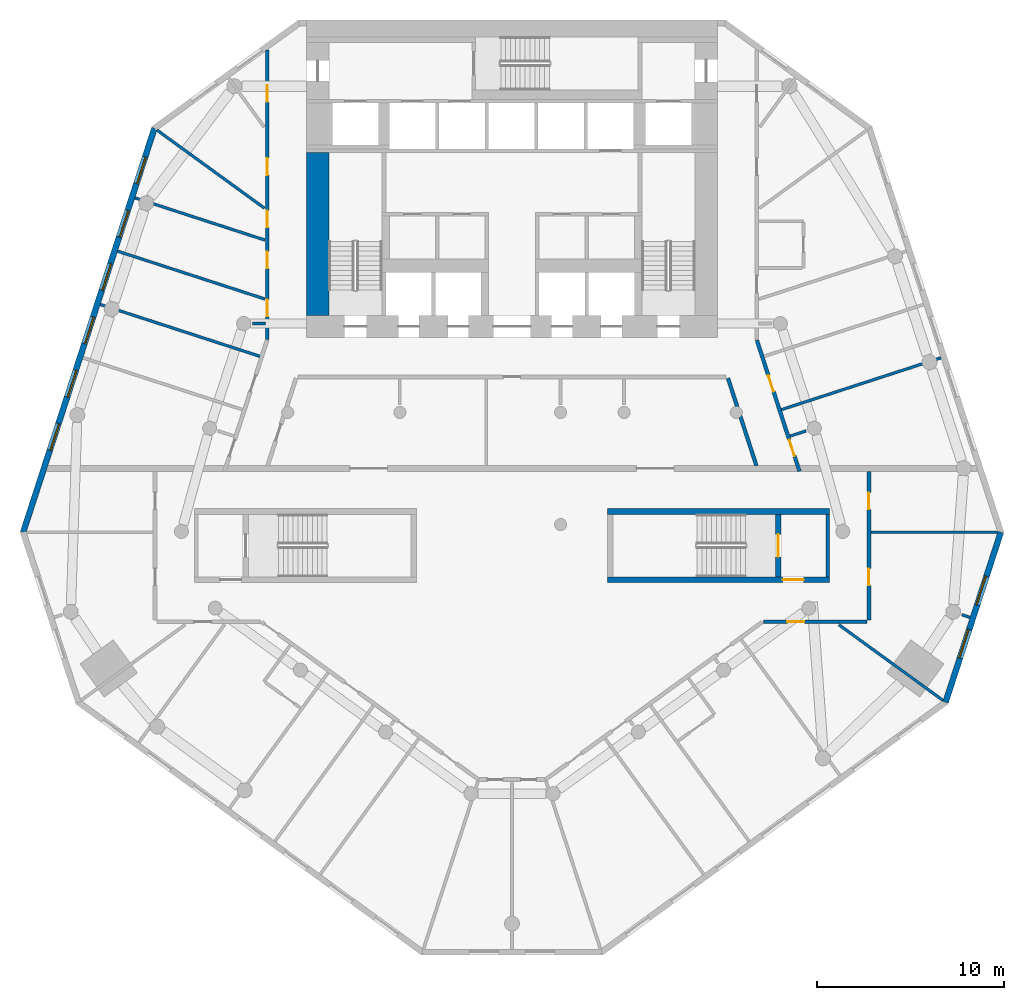
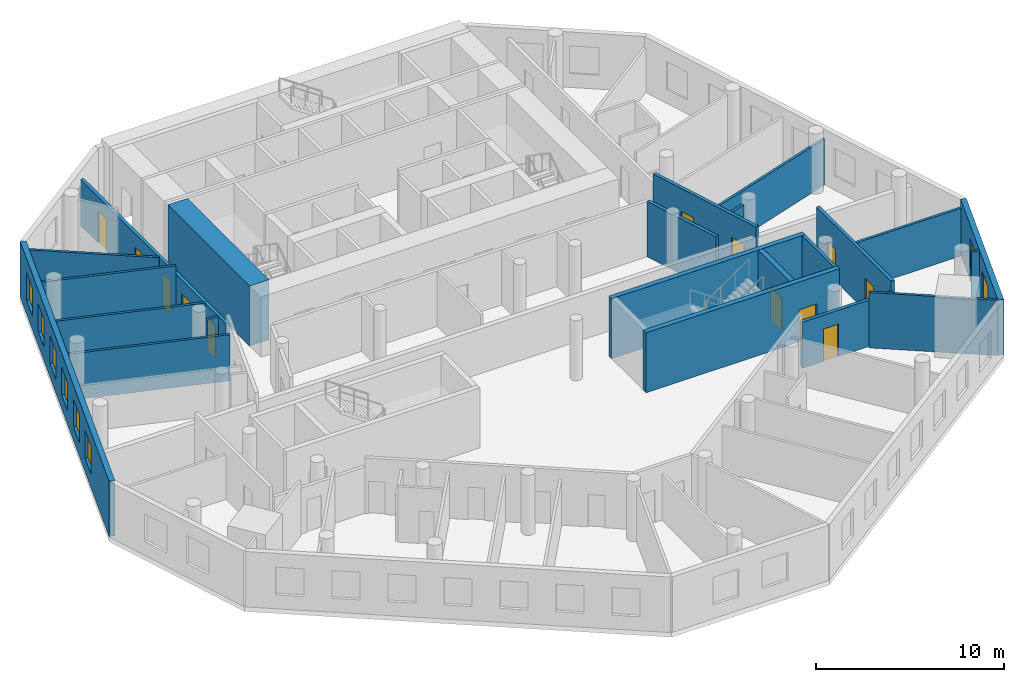
# One storey, part 4 of 9: 22 walls, 12 doors, 8 windows, 20 openings.
"""IFC4 building model written with IfcOpenShell, lengths in metres."""

from ifc_helpers import new_model, si_unit, direction, frame, frame_2d, origin, place, context, subcontext, project, spatial, rectangle, extrude, material, layer, layer_set, type_object, element, fill, save


model = new_model("IFC4")

# Units and contexts
model_context = context("Model", 3, precision=1e-05, world=origin(), true_north=direction((0.0, 1.0)))
body_context = subcontext(model_context, "Body", "Model", "MODEL_VIEW")
ifc_project = project(units=[si_unit("LENGTHUNIT", "METRE"), si_unit("AREAUNIT", "SQUARE_METRE"), si_unit("VOLUMEUNIT", "CUBIC_METRE"), si_unit("PLANEANGLEUNIT", "RADIAN"), si_unit("MASSUNIT", "GRAM", prefix="KILO")], contexts=[model_context])

# Site, building, storey
site_placement = place(None, origin())
site = spatial("IfcSite", under=ifc_project, at=site_placement, CompositionType="ELEMENT")
building_placement = place(site_placement, origin())
building = spatial("IfcBuilding", under=site, at=building_placement, Name="White Candle Pilgrim Tower", CompositionType="ELEMENT")
storey_placement = place(building_placement, frame((0.0, 0.0, 50.699951171875)))
storey = spatial("IfcBuildingStorey", under=building, at=storey_placement, Name="L09", CompositionType="ELEMENT", Elevation=50.699951171875)

# Wall
ifc_material_1 = material(Name="Concrete C70/85", Category="concrete")
ifc_layer_1 = layer(ifc_material_1, 0.199951171875)
ifc_layer_set_1 = layer_set([ifc_layer_1], Name="Core wall 200 mm Concrete C70/85")
wall_type_1 = type_object("IfcWallType", Name="Core wall 200 mm Concrete C70/85", PredefinedType="SHEAR", material=ifc_layer_set_1)
wall_1_placement = place(storey_placement, frame((86.89990234375, 58.199951171875, 0.0), z_axis=(0.0, 0.0, 1.0), x_axis=(0.0, 1.0, 0.0)))
element("IfcWall", 1, at=wall_1_placement, inside=storey, type_object=wall_type_1, Name="WL-L09-C08", PredefinedType="SHEAR", context=body_context, shape_type="SweptSolid", body=[
    extrude(rectangle(XDim=3.35009765625, YDim=0.199951171875, at=frame_2d((1.675048828125, 0.0))), origin(), (0.0, 0.0, 1.0), 3.900146484375),
])

# Wall, openings, doors
ifc_material_2 = material(Name="Gypsum board on steel studs", Category="steel")
ifc_layer_2 = layer(ifc_material_2, 0.199951171875)
ifc_layer_set_2 = layer_set([ifc_layer_2], Name="Corridor wall 200 mm EI 45")
wall_type_2 = type_object("IfcWallType", Name="Corridor wall 200 mm EI 45", PredefinedType="PARTITIONING", material=ifc_layer_set_2)
wall_2_placement = place(storey_placement, frame((56.89990234375, 70.8974609375, 0.0), z_axis=(0.0, 0.0, 1.0), x_axis=(0.0, 1.0, 0.0)))
wall_2 = element("IfcWall", 2, at=wall_2_placement, inside=storey, type_object=wall_type_2, Name="WL-L09-P003", PredefinedType="PARTITIONING", context=body_context, shape_type="SweptSolid", body=[
    extrude(rectangle(XDim=15.498779296875, YDim=0.199951171875, at=frame_2d((7.74951171875, 0.0))), origin(), (0.0, 0.0, 1.0), 3.0),
])
opening_1_placement = place(wall_2_placement, frame((1.242919921875, 0.0, 0.0)))
opening_1 = element("IfcOpeningElement", 3, at=opening_1_placement, cuts=wall_2, Name="Opening T02-122", PredefinedType="OPENING", context=body_context, shape_type="SweptSolid", body=[
    extrude(rectangle(XDim=0.89990234375, YDim=2.10009765625, at=frame_2d((0.449951171875, 1.050048828125))), frame((0.0, 0.10986328125, 0.0), z_axis=(0.0, -1.0, 0.0), x_axis=(1.0, 0.0, 0.0)), (0.0, 0.0, 1.0), 0.219970703125),
])
opening_2_placement = place(wall_2_placement, frame((3.813232421875, 0.0, 0.0)))
opening_2 = element("IfcOpeningElement", 4, at=opening_2_placement, cuts=wall_2, Name="Opening T02-123", PredefinedType="OPENING", context=body_context, shape_type="SweptSolid", body=[
    extrude(rectangle(XDim=0.89990234375, YDim=2.10009765625, at=frame_2d((0.449951171875, 1.050048828125))), frame((0.0, 0.10986328125, 0.0), z_axis=(0.0, -1.0, 0.0), x_axis=(1.0, 0.0, 0.0)), (0.0, 0.0, 1.0), 0.219970703125),
])
opening_3_placement = place(wall_2_placement, frame((6.005615234375, 0.0, 0.0)))
opening_3 = element("IfcOpeningElement", 5, at=opening_3_placement, cuts=wall_2, Name="Opening T02-124", PredefinedType="OPENING", context=body_context, shape_type="SweptSolid", body=[
    extrude(rectangle(XDim=0.89990234375, YDim=2.10009765625, at=frame_2d((0.449951171875, 1.050048828125))), frame((0.0, 0.10986328125, 0.0), z_axis=(0.0, -1.0, 0.0), x_axis=(1.0, 0.0, 0.0)), (0.0, 0.0, 1.0), 0.219970703125),
])
opening_4_placement = place(wall_2_placement, frame((8.80615234375, 0.0, 0.0)))
opening_4 = element("IfcOpeningElement", 6, at=opening_4_placement, cuts=wall_2, Name="Opening T02-125", PredefinedType="OPENING", context=body_context, shape_type="SweptSolid", body=[
    extrude(rectangle(XDim=0.89990234375, YDim=2.10009765625, at=frame_2d((0.449951171875, 1.050048828125))), frame((0.0, 0.10986328125, 0.0), z_axis=(0.0, -1.0, 0.0), x_axis=(1.0, 0.0, 0.0)), (0.0, 0.0, 1.0), 0.219970703125),
])
opening_5_placement = place(wall_2_placement, frame((12.72412109375, 0.0, 0.0)))
opening_5 = element("IfcOpeningElement", 7, at=opening_5_placement, cuts=wall_2, Name="Opening T02-126", PredefinedType="OPENING", context=body_context, shape_type="SweptSolid", body=[
    extrude(rectangle(XDim=0.89990234375, YDim=2.10009765625, at=frame_2d((0.449951171875, 1.050048828125))), frame((0.0, 0.10986328125, 0.0), z_axis=(0.0, -1.0, 0.0), x_axis=(1.0, 0.0, 0.0)), (0.0, 0.0, 1.0), 0.219970703125),
])
ifc_material_3 = material(Name="Steel door leaf", Category="steel")
door_type_1 = type_object("IfcDoorType", Name="Fire door 900 x 2100 EI 30", OperationType="NOTDEFINED", PredefinedType="DOOR", material=ifc_material_3)
door_1_placement = place(opening_1_placement, origin())
door_1 = element("IfcDoor", 8, at=door_1_placement, inside=storey, type_object=door_type_1, Name="Door T02-122", OperationType="SINGLE_SWING_RIGHT", OverallHeight=2.10009765625, OverallWidth=0.89990234375, PredefinedType="DOOR", context=body_context, shape_type="SweptSolid", body=[
    extrude(rectangle(XDim=0.89990234375, YDim=2.10009765625, at=frame_2d((0.449951171875, 1.050048828125))), frame((0.0, 0.02490234375, 0.0), z_axis=(0.0, -1.0, 0.0), x_axis=(1.0, 0.0, 0.0)), (0.0, 0.0, 1.0), 0.050048828125),
])
fill(opening_1, door_1)
door_2_placement = place(opening_2_placement, origin())
door_2 = element("IfcDoor", 9, at=door_2_placement, inside=storey, type_object=door_type_1, Name="Door T02-123", OperationType="SINGLE_SWING_LEFT", OverallHeight=2.10009765625, OverallWidth=0.89990234375, PredefinedType="DOOR", context=body_context, shape_type="SweptSolid", body=[
    extrude(rectangle(XDim=0.89990234375, YDim=2.10009765625, at=frame_2d((0.449951171875, 1.050048828125))), frame((0.0, 0.02490234375, 0.0), z_axis=(0.0, -1.0, 0.0), x_axis=(1.0, 0.0, 0.0)), (0.0, 0.0, 1.0), 0.050048828125),
])
fill(opening_2, door_2)
door_3_placement = place(opening_3_placement, origin())
door_3 = element("IfcDoor", 10, at=door_3_placement, inside=storey, type_object=door_type_1, Name="Door T02-124", OperationType="SINGLE_SWING_RIGHT", OverallHeight=2.10009765625, OverallWidth=0.89990234375, PredefinedType="DOOR", context=body_context, shape_type="SweptSolid", body=[
    extrude(rectangle(XDim=0.89990234375, YDim=2.10009765625, at=frame_2d((0.449951171875, 1.050048828125))), frame((0.0, 0.02490234375, 0.0), z_axis=(0.0, -1.0, 0.0), x_axis=(1.0, 0.0, 0.0)), (0.0, 0.0, 1.0), 0.050048828125),
])
fill(opening_3, door_3)
door_4_placement = place(opening_4_placement, origin())
door_4 = element("IfcDoor", 11, at=door_4_placement, inside=storey, type_object=door_type_1, Name="Door T02-125", OperationType="SINGLE_SWING_LEFT", OverallHeight=2.10009765625, OverallWidth=0.89990234375, PredefinedType="DOOR", context=body_context, shape_type="SweptSolid", body=[
    extrude(rectangle(XDim=0.89990234375, YDim=2.10009765625, at=frame_2d((0.449951171875, 1.050048828125))), frame((0.0, 0.02490234375, 0.0), z_axis=(0.0, -1.0, 0.0), x_axis=(1.0, 0.0, 0.0)), (0.0, 0.0, 1.0), 0.050048828125),
])
fill(opening_4, door_4)
door_5_placement = place(opening_5_placement, origin())
door_5 = element("IfcDoor", 12, at=door_5_placement, inside=storey, type_object=door_type_1, Name="Door T02-126", OperationType="SINGLE_SWING_RIGHT", OverallHeight=2.10009765625, OverallWidth=0.89990234375, PredefinedType="DOOR", context=body_context, shape_type="SweptSolid", body=[
    extrude(rectangle(XDim=0.89990234375, YDim=2.10009765625, at=frame_2d((0.449951171875, 1.050048828125))), frame((0.0, 0.02490234375, 0.0), z_axis=(0.0, -1.0, 0.0), x_axis=(1.0, 0.0, 0.0)), (0.0, 0.0, 1.0), 0.050048828125),
])
fill(opening_5, door_5)

wall_3_placement = place(storey_placement, frame((83.10498046875, 70.866455078125, 0.0), z_axis=(0.0, 0.0, 1.0), x_axis=(0.309020970938, -0.951055224222, 0.0)))
wall_3 = element("IfcWall", 13, at=wall_3_placement, inside=storey, type_object=wall_type_2, Name="WL-L09-P005", PredefinedType="PARTITIONING", context=body_context, shape_type="SweptSolid", body=[
    extrude(rectangle(XDim=7.37744140625, YDim=0.199951171875, at=frame_2d((3.688720703125, 0.0))), origin(), (0.0, 0.0, 1.0), 3.60009765625),
])
opening_6_placement = place(wall_3_placement, frame((1.990966796875, 0.0, 0.0)))
opening_6 = element("IfcOpeningElement", 14, at=opening_6_placement, cuts=wall_3, Name="Opening T02-130", PredefinedType="OPENING", context=body_context, shape_type="SweptSolid", body=[
    extrude(rectangle(XDim=0.89990234375, YDim=2.10009765625, at=frame_2d((0.449951171875, 1.050048828125))), frame((0.0, 0.10986328125, 0.0), z_axis=(0.0, -1.0, 0.0), x_axis=(1.0, 0.0, 0.0)), (0.0, 0.0, 1.0), 0.219970703125),
])
opening_7_placement = place(wall_3_placement, frame((5.619140625, 0.0, 0.0)))
opening_7 = element("IfcOpeningElement", 15, at=opening_7_placement, cuts=wall_3, Name="Opening T02-131", PredefinedType="OPENING", context=body_context, shape_type="SweptSolid", body=[
    extrude(rectangle(XDim=0.89990234375, YDim=2.10009765625, at=frame_2d((0.449951171875, 1.050048828125))), frame((0.0, 0.10986328125, 0.0), z_axis=(0.0, -1.0, 0.0), x_axis=(1.0, 0.0, 0.0)), (0.0, 0.0, 1.0), 0.219970703125),
])
door_6_placement = place(opening_6_placement, origin())
door_6 = element("IfcDoor", 16, at=door_6_placement, inside=storey, type_object=door_type_1, Name="Door T02-130", OperationType="SINGLE_SWING_RIGHT", OverallHeight=2.10009765625, OverallWidth=0.89990234375, PredefinedType="DOOR", context=body_context, shape_type="SweptSolid", body=[
    extrude(rectangle(XDim=0.89990234375, YDim=2.10009765625, at=frame_2d((0.449951171875, 1.050048828125))), frame((0.0, 0.02490234375, 0.0), z_axis=(0.0, -1.0, 0.0), x_axis=(1.0, 0.0, 0.0)), (0.0, 0.0, 1.0), 0.050048828125),
])
fill(opening_6, door_6)
door_7_placement = place(opening_7_placement, origin())
door_7 = element("IfcDoor", 17, at=door_7_placement, inside=storey, type_object=door_type_1, Name="Door T02-131", OperationType="SINGLE_SWING_LEFT", OverallHeight=2.10009765625, OverallWidth=0.89990234375, PredefinedType="DOOR", context=body_context, shape_type="SweptSolid", body=[
    extrude(rectangle(XDim=0.89990234375, YDim=2.10009765625, at=frame_2d((0.449951171875, 1.050048828125))), frame((0.0, 0.02490234375, 0.0), z_axis=(0.0, -1.0, 0.0), x_axis=(1.0, 0.0, 0.0)), (0.0, 0.0, 1.0), 0.050048828125),
])
fill(opening_7, door_7)

wall_4_placement = place(storey_placement, frame((89.10009765625, 63.85009765625, 0.0), z_axis=(0.0, 0.0, 1.0), x_axis=(0.0, -1.0, 0.0)))
wall_4 = element("IfcWall", 18, at=wall_4_placement, inside=storey, type_object=wall_type_2, Name="WL-L09-P006", PredefinedType="PARTITIONING", context=body_context, shape_type="SweptSolid", body=[
    extrude(rectangle(XDim=7.9501953125, YDim=0.199951171875, at=frame_2d((3.97509765625, 0.0))), origin(), (0.0, 0.0, 1.0), 3.60009765625),
])
opening_8_placement = place(wall_4_placement, frame((5.204345703125, 0.0, 0.0)))
opening_8 = element("IfcOpeningElement", 19, at=opening_8_placement, cuts=wall_4, Name="Opening T02-115", PredefinedType="OPENING", context=body_context, shape_type="SweptSolid", body=[
    extrude(rectangle(XDim=0.89990234375, YDim=2.10009765625, at=frame_2d((0.449951171875, 1.050048828125))), frame((0.0, 0.10986328125, 0.0), z_axis=(0.0, -1.0, 0.0), x_axis=(1.0, 0.0, 0.0)), (0.0, 0.0, 1.0), 0.219970703125),
])
opening_9_placement = place(wall_4_placement, frame((1.141845703125, 0.0, 0.0)))
opening_9 = element("IfcOpeningElement", 20, at=opening_9_placement, cuts=wall_4, Name="Opening T02-132", PredefinedType="OPENING", context=body_context, shape_type="SweptSolid", body=[
    extrude(rectangle(XDim=0.89990234375, YDim=2.10009765625, at=frame_2d((0.449951171875, 1.050048828125))), frame((0.0, 0.10986328125, 0.0), z_axis=(0.0, -1.0, 0.0), x_axis=(1.0, 0.0, 0.0)), (0.0, 0.0, 1.0), 0.219970703125),
])
door_8_placement = place(opening_8_placement, origin())
door_8 = element("IfcDoor", 21, at=door_8_placement, inside=storey, type_object=door_type_1, Name="Door T02-115", OperationType="SINGLE_SWING_LEFT", OverallHeight=2.10009765625, OverallWidth=0.89990234375, PredefinedType="DOOR", context=body_context, shape_type="SweptSolid", body=[
    extrude(rectangle(XDim=0.89990234375, YDim=2.10009765625, at=frame_2d((0.449951171875, 1.050048828125))), frame((0.0, 0.02490234375, 0.0), z_axis=(0.0, -1.0, 0.0), x_axis=(1.0, 0.0, 0.0)), (0.0, 0.0, 1.0), 0.050048828125),
])
fill(opening_8, door_8)
door_9_placement = place(opening_9_placement, origin())
door_9 = element("IfcDoor", 22, at=door_9_placement, inside=storey, type_object=door_type_1, Name="Door T02-132", OperationType="SINGLE_SWING_RIGHT", OverallHeight=2.10009765625, OverallWidth=0.89990234375, PredefinedType="DOOR", context=body_context, shape_type="SweptSolid", body=[
    extrude(rectangle(XDim=0.89990234375, YDim=2.10009765625, at=frame_2d((0.449951171875, 1.050048828125))), frame((0.0, 0.02490234375, 0.0), z_axis=(0.0, -1.0, 0.0), x_axis=(1.0, 0.0, 0.0)), (0.0, 0.0, 1.0), 0.050048828125),
])
fill(opening_9, door_9)

# Wall, opening, door
wall_5_placement = place(storey_placement, frame((89.0, 55.800048828125, 0.0), z_axis=(0.0, 0.0, 1.0), x_axis=(-1.0, 0.0, 0.0)))
wall_5 = element("IfcWall", 23, at=wall_5_placement, inside=storey, type_object=wall_type_2, Name="WL-L09-P007", PredefinedType="PARTITIONING", context=body_context, shape_type="SweptSolid", body=[
    extrude(rectangle(XDim=5.55419921875, YDim=0.199951171875, at=frame_2d((2.777099609375, 0.0))), origin(), (0.0, 0.0, 1.0), 3.0),
])
opening_10_placement = place(wall_5_placement, frame((3.35791015625, 0.0, 0.0)))
opening_10 = element("IfcOpeningElement", 24, at=opening_10_placement, cuts=wall_5, Name="Opening T02-114", PredefinedType="OPENING", context=body_context, shape_type="SweptSolid", body=[
    extrude(rectangle(XDim=0.89990234375, YDim=2.10009765625, at=frame_2d((0.449951171875, 1.050048828125))), frame((0.0, 0.10986328125, 0.0), z_axis=(0.0, -1.0, 0.0), x_axis=(1.0, 0.0, 0.0)), (0.0, 0.0, 1.0), 0.219970703125),
])
door_10_placement = place(opening_10_placement, origin())
door_10 = element("IfcDoor", 25, at=door_10_placement, inside=storey, type_object=door_type_1, Name="Door T02-114", OperationType="SINGLE_SWING_RIGHT", OverallHeight=2.10009765625, OverallWidth=0.89990234375, PredefinedType="DOOR", context=body_context, shape_type="SweptSolid", body=[
    extrude(rectangle(XDim=0.89990234375, YDim=2.10009765625, at=frame_2d((0.449951171875, 1.050048828125))), frame((0.0, 0.02490234375, 0.0), z_axis=(0.0, -1.0, 0.0), x_axis=(1.0, 0.0, 0.0)), (0.0, 0.0, 1.0), 0.050048828125),
])
fill(opening_10, door_10)

# Wall
wall_6_placement = place(storey_placement, frame((83.0791015625, 64.14990234375, 0.0), z_axis=(0.0, 0.0, 1.0), x_axis=(-0.309031112369, 0.951051928965, 0.0)))
element("IfcWall", 26, at=wall_6_placement, inside=storey, type_object=wall_type_2, Name="WL-L09-P015", PredefinedType="PARTITIONING", context=body_context, shape_type="SweptSolid", body=[
    extrude(rectangle(XDim=4.921875, YDim=0.199951171875, at=frame_2d((2.4609375, 0.0))), origin(), (0.0, 0.0, 1.0), 3.60009765625),
])

# Wall, openings, windows
ifc_material_4 = material(Name="Precast concrete C40/50", Category="concrete")
ifc_layer_3 = layer(ifc_material_4, 0.320068359375)
ifc_layer_set_3 = layer_set([ifc_layer_3], Name="Facade wall EW1 precast concrete C40/50 pier wall with timber-lined reveals")
wall_type_3 = type_object("IfcWallType", Name="Facade wall EW1 precast concrete C40/50 pier wall with timber-lined reveals", PredefinedType="SOLIDWALL", material=ifc_layer_set_3)
wall_7_placement = place(storey_placement, frame((93.2021484375, 51.49072265625, 0.0), z_axis=(0.0, 0.0, 1.0), x_axis=(0.309023765379, 0.951054316236, 0.0)))
wall_7 = element("IfcWall", 27, at=wall_7_placement, inside=storey, type_object=wall_type_3, Name="Facade wall L09 E chamfer", PredefinedType="SOLIDWALL", context=body_context, shape_type="SweptSolid", body=[
    extrude(rectangle(XDim=9.56884765625, YDim=0.320068359375, at=frame_2d((4.784423828125, 0.0))), origin(), (0.0, 0.0, 1.0), 3.60009765625),
])
opening_11_placement = place(wall_7_placement, frame((2.484375, 0.0, 0.89990234375)))
opening_11 = element("IfcOpeningElement", 28, at=opening_11_placement, cuts=wall_7, Name="Opening W2", PredefinedType="OPENING", context=body_context, shape_type="SweptSolid", body=[
    extrude(rectangle(XDim=1.60009765625, YDim=1.800048828125, at=frame_2d((0.800048828125, 0.89990234375))), frame((0.0, 0.169921875, 0.0), z_axis=(0.0, -1.0, 0.0), x_axis=(1.0, 0.0, 0.0)), (0.0, 0.0, 1.0), 0.340087890625),
])
opening_12_placement = place(wall_7_placement, frame((5.484375, 0.0, 0.89990234375)))
opening_12 = element("IfcOpeningElement", 29, at=opening_12_placement, cuts=wall_7, Name="Opening W2", PredefinedType="OPENING", context=body_context, shape_type="SweptSolid", body=[
    extrude(rectangle(XDim=1.60009765625, YDim=1.800048828125, at=frame_2d((0.800048828125, 0.89990234375))), frame((0.0, 0.169921875, 0.0), z_axis=(0.0, -1.0, 0.0), x_axis=(1.0, 0.0, 0.0)), (0.0, 0.0, 1.0), 0.340087890625),
])
ifc_material_5 = material(Name="Timber frame with triple glazing", Category="wood")
window_type_1 = type_object("IfcWindowType", Name="Window W2 1600x1800 timber frame triple glazing", PartitioningType="SINGLE_PANEL", PredefinedType="WINDOW", material=ifc_material_5)
window_1_placement = place(opening_11_placement, origin())
window_1 = element("IfcWindow", 30, at=window_1_placement, inside=storey, type_object=window_type_1, Name="Window W2 L09 E chamfer 1", OverallHeight=1.800048828125, OverallWidth=1.60009765625, PartitioningType="SINGLE_PANEL", PredefinedType="WINDOW", context=body_context, shape_type="SweptSolid", body=[
    extrude(rectangle(XDim=1.60009765625, YDim=1.800048828125, at=frame_2d((0.800048828125, 0.89990234375))), frame((0.0, 0.070068359375, 0.0), z_axis=(0.0, -1.0, 0.0), x_axis=(1.0, 0.0, 0.0)), (0.0, 0.0, 1.0), 0.06005859375),
])
fill(opening_11, window_1)
window_2_placement = place(opening_12_placement, origin())
window_2 = element("IfcWindow", 31, at=window_2_placement, inside=storey, type_object=window_type_1, Name="Window W2 L09 E chamfer 2", OverallHeight=1.800048828125, OverallWidth=1.60009765625, PartitioningType="SINGLE_PANEL", PredefinedType="WINDOW", context=body_context, shape_type="SweptSolid", body=[
    extrude(rectangle(XDim=1.60009765625, YDim=1.800048828125, at=frame_2d((0.800048828125, 0.89990234375))), frame((0.0, 0.070068359375, 0.0), z_axis=(0.0, -1.0, 0.0), x_axis=(1.0, 0.0, 0.0)), (0.0, 0.0, 1.0), 0.06005859375),
])
fill(opening_12, window_2)

wall_8_placement = place(storey_placement, frame((50.864990234375, 82.20947265625, 0.0), z_axis=(0.0, 0.0, 1.0), x_axis=(-0.309017098694, -0.9510564824, 0.0)))
wall_8 = element("IfcWall", 32, at=wall_8_placement, inside=storey, type_object=wall_type_3, Name="Facade wall L09 WNW", PredefinedType="SOLIDWALL", context=body_context, shape_type="SweptSolid", body=[
    extrude(rectangle(XDim=22.730712890625, YDim=0.320068359375, at=frame_2d((11.365234375, 0.0))), origin(), (0.0, 0.0, 1.0), 3.60009765625),
])
opening_13_placement = place(wall_8_placement, frame((1.615478515625, 0.0, 0.89990234375)))
opening_13 = element("IfcOpeningElement", 33, at=opening_13_placement, cuts=wall_8, Name="Opening W1", PredefinedType="OPENING", context=body_context, shape_type="SweptSolid", body=[
    extrude(rectangle(XDim=1.5, YDim=1.800048828125, at=frame_2d((0.75, 0.89990234375))), frame((0.0, 0.169921875, 0.0), z_axis=(0.0, -1.0, 0.0), x_axis=(1.0, 0.0, 0.0)), (0.0, 0.0, 1.0), 0.340087890625),
])
opening_14_placement = place(wall_8_placement, frame((4.615478515625, 0.0, 0.89990234375)))
opening_14 = element("IfcOpeningElement", 34, at=opening_14_placement, cuts=wall_8, Name="Opening W1", PredefinedType="OPENING", context=body_context, shape_type="SweptSolid", body=[
    extrude(rectangle(XDim=1.5, YDim=1.800048828125, at=frame_2d((0.75, 0.89990234375))), frame((0.0, 0.169921875, 0.0), z_axis=(0.0, -1.0, 0.0), x_axis=(1.0, 0.0, 0.0)), (0.0, 0.0, 1.0), 0.340087890625),
])
opening_15_placement = place(wall_8_placement, frame((7.615478515625, 0.0, 0.89990234375)))
opening_15 = element("IfcOpeningElement", 35, at=opening_15_placement, cuts=wall_8, Name="Opening W1", PredefinedType="OPENING", context=body_context, shape_type="SweptSolid", body=[
    extrude(rectangle(XDim=1.5, YDim=1.800048828125, at=frame_2d((0.75, 0.89990234375))), frame((0.0, 0.169921875, 0.0), z_axis=(0.0, -1.0, 0.0), x_axis=(1.0, 0.0, 0.0)), (0.0, 0.0, 1.0), 0.340087890625),
])
opening_16_placement = place(wall_8_placement, frame((10.615478515625, 0.0, 0.89990234375)))
opening_16 = element("IfcOpeningElement", 36, at=opening_16_placement, cuts=wall_8, Name="Opening W1", PredefinedType="OPENING", context=body_context, shape_type="SweptSolid", body=[
    extrude(rectangle(XDim=1.5, YDim=1.800048828125, at=frame_2d((0.75, 0.89990234375))), frame((0.0, 0.169921875, 0.0), z_axis=(0.0, -1.0, 0.0), x_axis=(1.0, 0.0, 0.0)), (0.0, 0.0, 1.0), 0.340087890625),
])
opening_17_placement = place(wall_8_placement, frame((13.615478515625, 0.0, 0.89990234375)))
opening_17 = element("IfcOpeningElement", 37, at=opening_17_placement, cuts=wall_8, Name="Opening W1", PredefinedType="OPENING", context=body_context, shape_type="SweptSolid", body=[
    extrude(rectangle(XDim=1.5, YDim=1.800048828125, at=frame_2d((0.75, 0.89990234375))), frame((0.0, 0.169921875, 0.0), z_axis=(0.0, -1.0, 0.0), x_axis=(1.0, 0.0, 0.0)), (0.0, 0.0, 1.0), 0.340087890625),
])
opening_18_placement = place(wall_8_placement, frame((16.615478515625, 0.0, 0.89990234375)))
opening_18 = element("IfcOpeningElement", 38, at=opening_18_placement, cuts=wall_8, Name="Opening W1", PredefinedType="OPENING", context=body_context, shape_type="SweptSolid", body=[
    extrude(rectangle(XDim=1.5, YDim=1.800048828125, at=frame_2d((0.75, 0.89990234375))), frame((0.0, 0.169921875, 0.0), z_axis=(0.0, -1.0, 0.0), x_axis=(1.0, 0.0, 0.0)), (0.0, 0.0, 1.0), 0.340087890625),
])
window_type_2 = type_object("IfcWindowType", Name="Window W1 1500x1800 timber frame triple glazing", PartitioningType="SINGLE_PANEL", PredefinedType="WINDOW", material=ifc_material_5)
window_3_placement = place(opening_13_placement, origin())
window_3 = element("IfcWindow", 39, at=window_3_placement, inside=storey, type_object=window_type_2, Name="Window W1 L09 WNW 1", OverallHeight=1.800048828125, OverallWidth=1.5, PartitioningType="SINGLE_PANEL", PredefinedType="WINDOW", context=body_context, shape_type="SweptSolid", body=[
    extrude(rectangle(XDim=1.5, YDim=1.800048828125, at=frame_2d((0.75, 0.89990234375))), frame((0.0, 0.070068359375, 0.0), z_axis=(0.0, -1.0, 0.0), x_axis=(1.0, 0.0, 0.0)), (0.0, 0.0, 1.0), 0.06005859375),
])
fill(opening_13, window_3)
window_4_placement = place(opening_14_placement, origin())
window_4 = element("IfcWindow", 40, at=window_4_placement, inside=storey, type_object=window_type_2, Name="Window W1 L09 WNW 2", OverallHeight=1.800048828125, OverallWidth=1.5, PartitioningType="SINGLE_PANEL", PredefinedType="WINDOW", context=body_context, shape_type="SweptSolid", body=[
    extrude(rectangle(XDim=1.5, YDim=1.800048828125, at=frame_2d((0.75, 0.89990234375))), frame((0.0, 0.070068359375, 0.0), z_axis=(0.0, -1.0, 0.0), x_axis=(1.0, 0.0, 0.0)), (0.0, 0.0, 1.0), 0.06005859375),
])
fill(opening_14, window_4)
window_5_placement = place(opening_15_placement, origin())
window_5 = element("IfcWindow", 41, at=window_5_placement, inside=storey, type_object=window_type_2, Name="Window W1 L09 WNW 3", OverallHeight=1.800048828125, OverallWidth=1.5, PartitioningType="SINGLE_PANEL", PredefinedType="WINDOW", context=body_context, shape_type="SweptSolid", body=[
    extrude(rectangle(XDim=1.5, YDim=1.800048828125, at=frame_2d((0.75, 0.89990234375))), frame((0.0, 0.070068359375, 0.0), z_axis=(0.0, -1.0, 0.0), x_axis=(1.0, 0.0, 0.0)), (0.0, 0.0, 1.0), 0.06005859375),
])
fill(opening_15, window_5)
window_6_placement = place(opening_16_placement, origin())
window_6 = element("IfcWindow", 42, at=window_6_placement, inside=storey, type_object=window_type_2, Name="Window W1 L09 WNW 4", OverallHeight=1.800048828125, OverallWidth=1.5, PartitioningType="SINGLE_PANEL", PredefinedType="WINDOW", context=body_context, shape_type="SweptSolid", body=[
    extrude(rectangle(XDim=1.5, YDim=1.800048828125, at=frame_2d((0.75, 0.89990234375))), frame((0.0, 0.070068359375, 0.0), z_axis=(0.0, -1.0, 0.0), x_axis=(1.0, 0.0, 0.0)), (0.0, 0.0, 1.0), 0.06005859375),
])
fill(opening_16, window_6)
window_7_placement = place(opening_17_placement, origin())
window_7 = element("IfcWindow", 43, at=window_7_placement, inside=storey, type_object=window_type_2, Name="Window W1 L09 WNW 5", OverallHeight=1.800048828125, OverallWidth=1.5, PartitioningType="SINGLE_PANEL", PredefinedType="WINDOW", context=body_context, shape_type="SweptSolid", body=[
    extrude(rectangle(XDim=1.5, YDim=1.800048828125, at=frame_2d((0.75, 0.89990234375))), frame((0.0, 0.070068359375, 0.0), z_axis=(0.0, -1.0, 0.0), x_axis=(1.0, 0.0, 0.0)), (0.0, 0.0, 1.0), 0.06005859375),
])
fill(opening_17, window_7)
window_8_placement = place(opening_18_placement, origin())
window_8 = element("IfcWindow", 44, at=window_8_placement, inside=storey, type_object=window_type_2, Name="Window W1 L09 WNW 6", OverallHeight=1.800048828125, OverallWidth=1.5, PartitioningType="SINGLE_PANEL", PredefinedType="WINDOW", context=body_context, shape_type="SweptSolid", body=[
    extrude(rectangle(XDim=1.5, YDim=1.800048828125, at=frame_2d((0.75, 0.89990234375))), frame((0.0, 0.070068359375, 0.0), z_axis=(0.0, -1.0, 0.0), x_axis=(1.0, 0.0, 0.0)), (0.0, 0.0, 1.0), 0.06005859375),
])
fill(opening_18, window_8)

# Walls
ifc_layer_4 = layer(ifc_material_2, 0.14990234375)
ifc_layer_set_4 = layer_set([ifc_layer_4], Name="Partition 150 mm EI 60")
wall_type_4 = type_object("IfcWallType", Name="Partition 150 mm EI 60", PredefinedType="PARTITIONING", material=ifc_layer_set_4)
wall_9_placement = place(storey_placement, frame((51.001220703125, 82.110595703125, 0.0), z_axis=(0.0, 0.0, 1.0), x_axis=(0.809006123185, -0.587800214911, 0.0)))
element("IfcWall", 45, at=wall_9_placement, inside=storey, type_object=wall_type_4, Name="WL-L09-P016", PredefinedType="PARTITIONING", context=body_context, shape_type="SweptSolid", body=[
    extrude(rectangle(XDim=7.11328125, YDim=0.14990234375, at=frame_2d((3.556640625, 0.0))), origin(), (0.0, 0.0, 1.0), 3.10009765625),
])
wall_10_placement = place(storey_placement, frame((93.06591796875, 51.589599609375, 0.0), z_axis=(0.0, 0.0, 1.0), x_axis=(-0.809011812166, 0.587792384925, 0.0)))
element("IfcWall", 46, at=wall_10_placement, inside=storey, type_object=wall_type_4, Name="WL-L09-P021", PredefinedType="PARTITIONING", context=body_context, shape_type="SweptSolid", body=[
    extrude(rectangle(XDim=6.889892578125, YDim=0.14990234375, at=frame_2d((3.44482421875, 0.0))), origin(), (0.0, 0.0, 1.0), 3.60009765625),
])
wall_11_placement = place(storey_placement, frame((95.99072265625, 60.59130859375, 0.0), z_axis=(0.0, 0.0, 1.0), x_axis=(-1.0, 0.0, 0.0)))
element("IfcWall", 47, at=wall_11_placement, inside=storey, type_object=wall_type_4, Name="WL-L09-P022", PredefinedType="PARTITIONING", context=body_context, shape_type="SweptSolid", body=[
    extrude(rectangle(XDim=6.790771484375, YDim=0.14990234375, at=frame_2d((3.3955078125, 0.0))), origin(), (0.0, 0.0, 1.0), 3.10009765625),
])
wall_12_placement = place(storey_placement, frame((49.82275390625, 78.48388671875, 0.0), z_axis=(0.0, 0.0, 1.0), x_axis=(0.951056640207, -0.309016613015, 0.0)))
element("IfcWall", 48, at=wall_12_placement, inside=storey, type_object=wall_type_4, Name="WL-L09-P025", PredefinedType="PARTITIONING", context=body_context, shape_type="SweptSolid", body=[
    extrude(rectangle(XDim=7.31201171875, YDim=0.14990234375, at=frame_2d((3.656005859375, 0.0))), origin(), (0.0, 0.0, 1.0), 3.60009765625),
])
wall_13_placement = place(storey_placement, frame((48.895751953125, 75.630615234375, 0.0), z_axis=(0.0, 0.0, 1.0), x_axis=(0.95105420195, -0.309024117105, 0.0)))
element("IfcWall", 49, at=wall_13_placement, inside=storey, type_object=wall_type_4, Name="WL-L09-P026", PredefinedType="PARTITIONING", context=body_context, shape_type="SweptSolid", body=[
    extrude(rectangle(XDim=8.28662109375, YDim=0.14990234375, at=frame_2d((4.143310546875, 0.0))), origin(), (0.0, 0.0, 1.0), 3.10009765625),
])
for number, where, z_axis, x_axis, name in (
    (50, (47.96875, 72.777587890625, 0.0), (0.0, 0.0, 1.0), (0.951051249243, -0.309033204224, 0.0), "WL-L09-P027"),
    (51, (92.958251953125, 69.92431640625, 0.0), (0.0, 0.0, 1.0), (-0.951059239389, -0.309008613427, 0.0), "WL-L09-P041"),
):
    element("IfcWall", number, at=place(storey_placement, frame(where, z_axis=z_axis, x_axis=x_axis)), inside=storey, type_object=wall_type_4, Name=name, PredefinedType="PARTITIONING", context=body_context, shape_type="SweptSolid", body=[
        extrude(rectangle(XDim=8.97998046875, YDim=0.14990234375, at=frame_2d((4.489990234375, 0.0))), origin(), (0.0, 0.0, 1.0), 3.0),
    ])
wall_14_placement = place(storey_placement, frame((94.07470703125, 56.1748046875, 0.0), z_axis=(0.0, 0.0, 1.0), x_axis=(0.951108522522, -0.308856889815, 0.0)))
element("IfcWall", 52, at=wall_14_placement, inside=storey, type_object=wall_type_4, Name="WL-L09-P050", PredefinedType="PARTITIONING", context=body_context, shape_type="SweptSolid", body=[
    extrude(rectangle(XDim=0.457763671875, YDim=0.14990234375, at=frame_2d((0.22900390625, 0.0))), origin(), (0.0, 0.0, 1.0), 3.60009765625),
])
wall_15_placement = place(storey_placement, frame((85.739013671875, 66.012939453125, 0.0), z_axis=(0.0, 0.0, 1.0), x_axis=(-0.951055863971, -0.309019002016, 0.0)))
element("IfcWall", 53, at=wall_15_placement, inside=storey, type_object=wall_type_4, Name="WL-L09-P054", PredefinedType="PARTITIONING", context=body_context, shape_type="SweptSolid", body=[
    extrude(rectangle(XDim=0.905517578125, YDim=0.14990234375, at=frame_2d((0.45263671875, 0.0))), origin(), (0.0, 0.0, 1.0), 3.60009765625),
])
wall_16_placement = place(storey_placement, frame((56.10498046875, 71.76220703125, 0.0), z_axis=(0.0, 0.0, 1.0), x_axis=(1.0, 0.0, 0.0)))
element("IfcWall", 54, at=wall_16_placement, inside=storey, type_object=wall_type_4, Name="WL-L09-P056", PredefinedType="PARTITIONING", context=body_context, shape_type="SweptSolid", body=[
    extrude(rectangle(XDim=0.695068359375, YDim=0.14990234375, at=frame_2d((0.34765625, 0.0))), origin(), (0.0, 0.0, 1.0), 3.0),
])
ifc_layer_5 = layer(ifc_material_1, 1.199951171875)
ifc_layer_set_5 = layer_set([ifc_layer_5], Name="Stair shaft wall 1200 mm Concrete C70/85")
wall_type_5 = type_object("IfcWallType", Name="Stair shaft wall 1200 mm Concrete C70/85", PredefinedType="SHEAR", material=ifc_layer_set_5)
wall_17_placement = place(storey_placement, frame((59.60009765625, 72.199951171875, 0.0), z_axis=(0.0, 0.0, 1.0), x_axis=(0.0, 1.0, 0.0)))
element("IfcWall", 55, at=wall_17_placement, inside=storey, type_object=wall_type_5, Name="WL-L09-C12", PredefinedType="SHEAR", context=body_context, shape_type="SweptSolid", body=[
    extrude(rectangle(XDim=8.699951171875, YDim=1.199951171875, at=frame_2d((4.35009765625, 0.0))), origin(), (0.0, 0.0, 1.0), 3.900146484375),
])

# Wall, opening, door
ifc_layer_6 = layer(ifc_material_1, 0.300048828125)
ifc_layer_set_6 = layer_set([ifc_layer_6], Name="Stair shaft wall 300 mm Concrete C70/85")
wall_type_6 = type_object("IfcWallType", Name="Stair shaft wall 300 mm Concrete C70/85", PredefinedType="SHEAR", material=ifc_layer_set_6)
wall_18_placement = place(storey_placement, frame((75.10009765625, 58.050048828125, 0.0), z_axis=(0.0, 0.0, 1.0), x_axis=(1.0, 0.0, 0.0)))
wall_18 = element("IfcWall", 56, at=wall_18_placement, inside=storey, type_object=wall_type_6, Name="WL-L09-C02", PredefinedType="SHEAR", context=body_context, shape_type="SweptSolid", body=[
    extrude(rectangle(XDim=11.89990234375, YDim=0.300048828125, at=frame_2d((5.949951171875, 0.0))), origin(), (0.0, 0.0, 1.0), 3.900146484375),
])
opening_19_placement = place(wall_18_placement, frame((9.39990234375, 0.0, 0.0)))
opening_19 = element("IfcOpeningElement", 57, at=opening_19_placement, cuts=wall_18, Name="Opening T02-009", PredefinedType="OPENING", context=body_context, shape_type="SweptSolid", body=[
    extrude(rectangle(XDim=1.10009765625, YDim=2.10009765625, at=frame_2d((0.550048828125, 1.050048828125))), frame((0.0, 0.159912109375, 0.0), z_axis=(0.0, -1.0, 0.0), x_axis=(1.0, 0.0, 0.0)), (0.0, 0.0, 1.0), 0.320068359375),
])
door_type_2 = type_object("IfcDoorType", Name="Fire door 1100 x 2100 EI 60", OperationType="NOTDEFINED", PredefinedType="DOOR", material=ifc_material_3)
door_11_placement = place(opening_19_placement, origin())
door_11 = element("IfcDoor", 58, at=door_11_placement, inside=storey, type_object=door_type_2, Name="Door T02-009", OperationType="SINGLE_SWING_LEFT", OverallHeight=2.10009765625, OverallWidth=1.10009765625, PredefinedType="DOOR", context=body_context, shape_type="SweptSolid", body=[
    extrude(rectangle(XDim=1.10009765625, YDim=2.10009765625, at=frame_2d((0.550048828125, 1.050048828125))), frame((0.0, 0.02490234375, 0.0), z_axis=(0.0, -1.0, 0.0), x_axis=(1.0, 0.0, 0.0)), (0.0, 0.0, 1.0), 0.050048828125),
])
fill(opening_19, door_11)

wall_19_placement = place(storey_placement, frame((84.25, 58.199951171875, 0.0), z_axis=(0.0, 0.0, 1.0), x_axis=(0.0, 1.0, 0.0)))
wall_19 = element("IfcWall", 59, at=wall_19_placement, inside=storey, type_object=wall_type_6, Name="WL-L09-C07", PredefinedType="SHEAR", context=body_context, shape_type="SweptSolid", body=[
    extrude(rectangle(XDim=3.35009765625, YDim=0.300048828125, at=frame_2d((1.675048828125, 0.0))), origin(), (0.0, 0.0, 1.0), 3.900146484375),
])
opening_20_placement = place(wall_19_placement, frame((1.074951171875, 0.0, 0.0)))
opening_20 = element("IfcOpeningElement", 60, at=opening_20_placement, cuts=wall_19, Name="Opening T02-010", PredefinedType="OPENING", context=body_context, shape_type="SweptSolid", body=[
    extrude(rectangle(XDim=1.199951171875, YDim=2.10009765625, at=frame_2d((0.60009765625, 1.050048828125))), frame((0.0, 0.159912109375, 0.0), z_axis=(0.0, -1.0, 0.0), x_axis=(1.0, 0.0, 0.0)), (0.0, 0.0, 1.0), 0.320068359375),
])
door_type_3 = type_object("IfcDoorType", Name="Fire door 1200 x 2100 EI 60", OperationType="NOTDEFINED", PredefinedType="DOOR", material=ifc_material_3)
door_12_placement = place(opening_20_placement, origin())
door_12 = element("IfcDoor", 61, at=door_12_placement, inside=storey, type_object=door_type_3, Name="Door T02-010", OperationType="SINGLE_SWING_RIGHT", OverallHeight=2.10009765625, OverallWidth=1.199951171875, PredefinedType="DOOR", context=body_context, shape_type="SweptSolid", body=[
    extrude(rectangle(XDim=1.199951171875, YDim=2.10009765625, at=frame_2d((0.60009765625, 1.050048828125))), frame((0.0, 0.02490234375, 0.0), z_axis=(0.0, -1.0, 0.0), x_axis=(1.0, 0.0, 0.0)), (0.0, 0.0, 1.0), 0.050048828125),
])
fill(opening_20, door_12)

# Wall
wall_20_placement = place(storey_placement, frame((75.10009765625, 61.699951171875, 0.0), z_axis=(0.0, 0.0, 1.0), x_axis=(1.0, 0.0, 0.0)))
element("IfcWall", 62, at=wall_20_placement, inside=storey, type_object=wall_type_6, Name="WL-L09-C10", PredefinedType="SHEAR", context=body_context, shape_type="SweptSolid", body=[
    extrude(rectangle(XDim=11.89990234375, YDim=0.300048828125, at=frame_2d((5.949951171875, 0.0))), origin(), (0.0, 0.0, 1.0), 3.900146484375),
])

save(model, "model.ifc")
